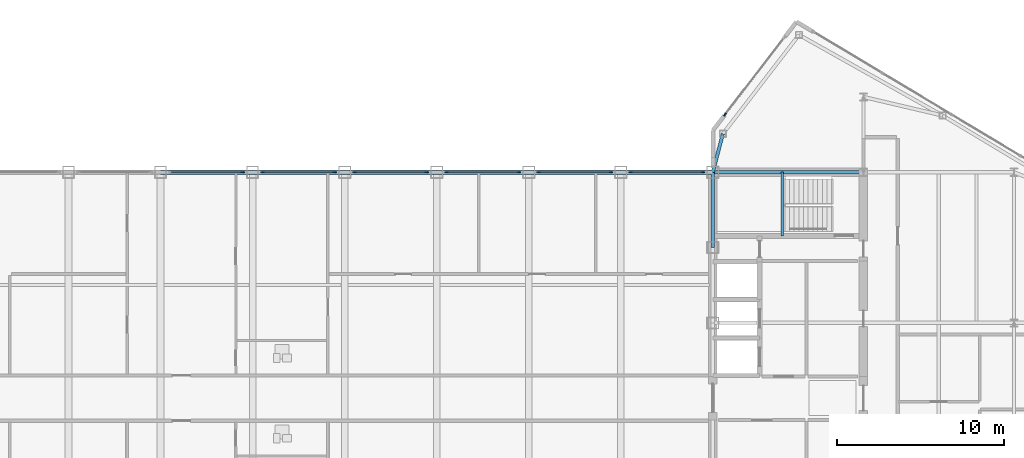
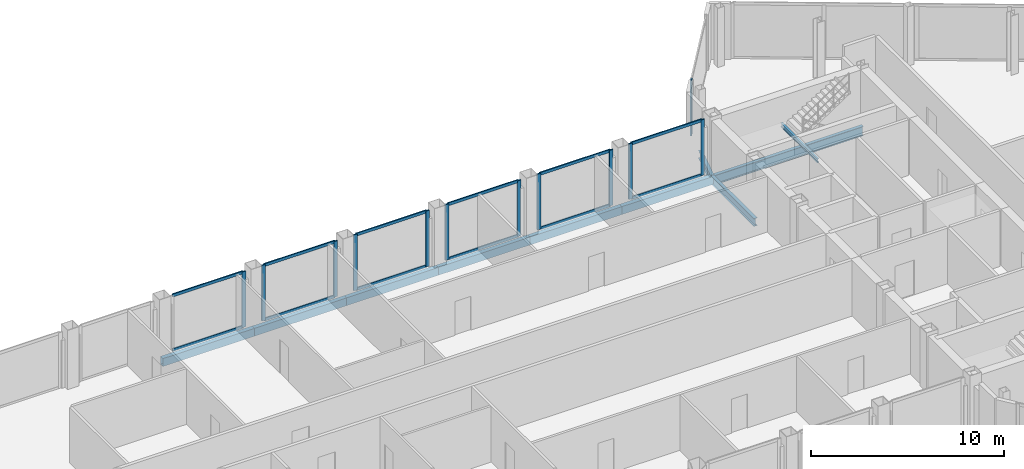
# One storey, part 16 of 28: 24 members, 10 beams, 7 elements without a shape of their own.
"""IFC4 building model written with IfcOpenShell, lengths in metres."""

from ifc_helpers import new_model, si_unit, direction, frame, origin, origin_2d, place, context, subcontext, project, spatial, rectangle, hollow_rectangle, i_section, extrude, source, transform, mapped, material, layer, layer_set, material_profile, profile_set, type_object, type_shapes, element, aggregate, save


model = new_model("IFC4")

# Units and contexts
model_context = context("Model", 3, precision=1e-05, world=origin(), true_north=direction((0.0, 1.0)))
body_context = subcontext(model_context, "Body", "Model", "MODEL_VIEW")
ifc_project = project(units=[si_unit("LENGTHUNIT", "METRE"), si_unit("AREAUNIT", "SQUARE_METRE"), si_unit("VOLUMEUNIT", "CUBIC_METRE"), si_unit("PLANEANGLEUNIT", "RADIAN"), si_unit("MASSUNIT", "GRAM", prefix="KILO")], contexts=[model_context])

# Site, building, storey
site_placement = place(None, origin())
site = spatial("IfcSite", under=ifc_project, at=site_placement, CompositionType="ELEMENT")
building_placement = place(site_placement, origin())
building = spatial("IfcBuilding", under=site, at=building_placement, Name="Seokmaru Belvedere", CompositionType="ELEMENT")
storey_placement = place(building_placement, frame((0.0, 0.0, 261.89990234375)))
storey = spatial("IfcBuildingStorey", under=building, at=storey_placement, Name="L69", CompositionType="ELEMENT", Elevation=261.89990234375)

# Beams
ifc_material_1 = material(Name="Steel SM355 (355 MPa)", Category="steel")
ifc_material_profile_1 = material_profile(ifc_material_1, i_section(OverallWidth=0.199951171875, OverallDepth=0.5, WebThickness=0.010009765625, FlangeThickness=0.01611328125, at=origin_2d()), Name="H-500x200x10x16")
ifc_profile_set_1 = profile_set([ifc_material_profile_1], Name="Steel SM355 (355 MPa)")
beam_type_1 = type_object("IfcBeamType", Name="Perimeter Spandrel Beam H-500", PredefinedType="SPANDREL", material=ifc_profile_set_1)
shared_shape_1 = source(origin(), body_context, "Body", "SweptSolid", [
    extrude(i_section(OverallWidth=0.199951171875, OverallDepth=0.5, WebThickness=0.010009765625, FlangeThickness=0.01611328125, at=origin_2d()), origin(), (0.0, 0.0, 1.0), 4.5),
])
beam_1_placement = place(storey_placement, frame((27.5, 9.0, -0.469970703125), z_axis=(0.0, 1.0, 0.0), x_axis=(-1.0, 0.0, 0.0)))
element("IfcBeam", 1, at=beam_1_placement, inside=storey, type_object=beam_type_1, Name="L69 E Portal Spine Spandrel 5", PredefinedType="SPANDREL", context=body_context, shape_type="MappedRepresentation", body=[
    mapped(shared_shape_1, transform((0.0, 0.0, 0.0), scale=1.0)),
])
ifc_material_profile_2 = material_profile(ifc_material_1, i_section(OverallWidth=0.199951171875, OverallDepth=0.60009765625, WebThickness=0.010986328125, FlangeThickness=0.01708984375, at=origin_2d()), Name="H-600x200x11x17")
ifc_profile_set_2 = profile_set([ifc_material_profile_2], Name="Steel SM355 (355 MPa)")
beam_type_2 = type_object("IfcBeamType", Name="Primary Floor Girder H-600", PredefinedType="BEAM", material=ifc_profile_set_2)
shared_shape_2 = source(origin(), body_context, "Body", "SweptSolid", [
    extrude(i_section(OverallWidth=0.199951171875, OverallDepth=0.60009765625, WebThickness=0.010986328125, FlangeThickness=0.01708984375, at=origin_2d()), origin(), (0.0, 0.0, 1.0), 9.0),
])
type_shapes(beam_type_2, [shared_shape_2])
beam_2_placement = place(storey_placement, frame((27.5, 13.5, -0.52001953125), z_axis=(1.0, 0.0, 0.0), x_axis=(0.0, 1.0, 0.0)))
element("IfcBeam", 2, at=beam_2_placement, inside=storey, type_object=beam_type_2, Name="L69 E Core Tie Girder 4", PredefinedType="BEAM", context=body_context, shape_type="MappedRepresentation", body=[
    mapped(shared_shape_2, transform((0.0, 0.0, 0.0), scale=1.0)),
])
shared_shape_3 = source(origin(), body_context, "Body", "SweptSolid", [
    extrude(i_section(OverallWidth=0.199951171875, OverallDepth=0.5, WebThickness=0.010009765625, FlangeThickness=0.01611328125, at=origin_2d()), origin(), (0.0, 0.0, 1.0), 2.373046875),
])
type_shapes(beam_type_1, [shared_shape_1, shared_shape_3])
beam_3_placement = place(storey_placement, frame((28.10009765625, 15.7958984375, -0.469970703125), z_axis=(-0.252882558842, -0.967496982648, 0.0), x_axis=(0.967496982648, -0.252882558842, 0.0)))
element("IfcBeam", 3, at=beam_3_placement, inside=storey, type_object=beam_type_1, Name="L69 E Shoulder Spine Spandrel N", PredefinedType="SPANDREL", context=body_context, shape_type="MappedRepresentation", body=[
    mapped(shared_shape_3, transform((0.0, 0.0, 0.0), scale=1.0)),
])
ifc_material_profile_3 = material_profile(ifc_material_1, hollow_rectangle(XDim=0.25, YDim=0.5, WallThickness=0.013916015625, at=origin_2d()), Name="RHS-500x250x14")
ifc_profile_set_3 = profile_set([ifc_material_profile_3], Name="Steel SM355 (355 MPa)")
beam_type_3 = type_object("IfcBeamType", Name="Bridge Edge Spandrel RHS-500", PredefinedType="SPANDREL", material=ifc_profile_set_3)
shared_shape_4 = source(origin(), body_context, "Body", "SweptSolid", [
    extrude(hollow_rectangle(XDim=0.25, YDim=0.5, WallThickness=0.013916015625, at=origin_2d()), origin(), (0.0, 0.0, 1.0), 5.5),
])
type_shapes(beam_type_3, [shared_shape_4])
for number, where, z_axis, x_axis, name in (
    (4, (-5.5, 13.5, -0.469970703125), (1.0, 0.0, 0.0), (0.0, 1.0, 0.0), "L69 Sky-Gate Bridge Edge Girder N-05"),
    (5, (0.0, 13.5, -0.469970703125), (1.0, 0.0, 0.0), (0.0, 1.0, 0.0), "L69 Sky-Gate Bridge Edge Girder N-06"),
    (6, (5.5, 13.5, -0.469970703125), (1.0, 0.0, 0.0), (0.0, 1.0, 0.0), "L69 Sky-Gate Bridge Edge Girder N-07"),
    (7, (11.0, 13.5, -0.469970703125), (1.0, 0.0, 0.0), (0.0, 1.0, 0.0), "L69 Sky-Gate Bridge Edge Girder N-08"),
    (8, (16.5, 13.5, -0.469970703125), (1.0, 0.0, 0.0), (0.0, 1.0, 0.0), "L69 Sky-Gate Bridge Edge Girder N-09"),
    (9, (22.0, 13.5, -0.469970703125), (1.0, 0.0, 0.0), (0.0, 1.0, 0.0), "L69 Sky-Gate Bridge Edge Girder N-10"),
):
    element("IfcBeam", number, at=place(storey_placement, frame(where, z_axis=z_axis, x_axis=x_axis)), inside=storey, type_object=beam_type_3, Name=name, PredefinedType="SPANDREL", context=body_context, shape_type="MappedRepresentation", body=[
        mapped(shared_shape_4, transform((0.0, 0.0, 0.0), scale=1.0)),
    ])

# Curtain wall, members
ifc_material_2 = material(Name="Bronze Triple Insulating Glass", Category="glass")
ifc_layer = layer(ifc_material_2, 0.219970703125)
ifc_layer_set = layer_set([ifc_layer], Name="Bronze Triple Insulating Glass")
curtain_wall_type = type_object("IfcCurtainWallType", Name="Sky-Gate Bridge Panorama Curtain Wall System CW-6", PredefinedType="NOTDEFINED", material=ifc_layer_set)
curtain_wall_1_placement = place(storey_placement, origin())
curtain_wall_1 = element("IfcCurtainWall", 10, at=curtain_wall_1_placement, inside=storey, type_object=curtain_wall_type, Name="L69 Curtain Wall BR_N05", PredefinedType="NOTDEFINED")
ifc_material_3 = material(Name="Anodised Bronze Aluminium", Category="aluminium")
ifc_material_profile_4 = material_profile(ifc_material_3, rectangle(XDim=0.074951171875, YDim=0.179931640625, at=origin_2d()), Name="CW-T-75x180")
ifc_profile_set_4 = profile_set([ifc_material_profile_4], Name="Anodised Bronze Aluminium")
member_type_1 = type_object("IfcMemberType", Name="Bronze Unitised Transom 75x180", PredefinedType="USERDEFINED", material=ifc_profile_set_4)
shared_shape_5 = source(origin(), body_context, "Body", "SweptSolid", [
    extrude(rectangle(XDim=0.074951171875, YDim=0.179931640625, at=origin_2d()), origin(), (0.0, 0.0, 1.0), 4.240234375),
])
type_shapes(member_type_1, [shared_shape_5])
member_1_placement = place(storey_placement, frame((-0.6298828125, 13.5, 0.03759765625), z_axis=(-1.0, 0.0, 0.0), x_axis=(0.0, -1.0, 0.0)))
member_1 = element("IfcMember", 11, at=member_1_placement, type_object=member_type_1, Name="CW:L69:BR_N05 Continuous Transom 1", ObjectType="TRANSOM", PredefinedType="USERDEFINED", context=body_context, shape_type="MappedRepresentation", body=[
    mapped(shared_shape_5, transform((0.0, 0.0, 0.0), scale=1.0)),
])
member_2_placement = place(storey_placement, frame((-0.6298828125, 13.5, 3.49267578125), z_axis=(-1.0, 0.0, 0.0), x_axis=(0.0, -1.0, 0.0)))
member_2 = element("IfcMember", 12, at=member_2_placement, type_object=member_type_1, Name="CW:L69:BR_N05 Continuous Transom 2", ObjectType="TRANSOM", PredefinedType="USERDEFINED", context=body_context, shape_type="MappedRepresentation", body=[
    mapped(shared_shape_5, transform((0.0, 0.0, 0.0), scale=1.0)),
])

curtain_wall_2_placement = place(storey_placement, origin())
curtain_wall_2 = element("IfcCurtainWall", 13, at=curtain_wall_2_placement, inside=storey, type_object=curtain_wall_type, Name="L69 Curtain Wall BR_N06", PredefinedType="NOTDEFINED")
member_3_placement = place(storey_placement, frame((4.8701171875, 13.5, 0.03759765625), z_axis=(-1.0, 0.0, 0.0), x_axis=(0.0, -1.0, 0.0)))
member_3 = element("IfcMember", 14, at=member_3_placement, type_object=member_type_1, Name="CW:L69:BR_N06 Continuous Transom 1", ObjectType="TRANSOM", PredefinedType="USERDEFINED", context=body_context, shape_type="MappedRepresentation", body=[
    mapped(shared_shape_5, transform((0.0, 0.0, 0.0), scale=1.0)),
])
member_4_placement = place(storey_placement, frame((4.8701171875, 13.5, 3.49267578125), z_axis=(-1.0, 0.0, 0.0), x_axis=(0.0, -1.0, 0.0)))
member_4 = element("IfcMember", 15, at=member_4_placement, type_object=member_type_1, Name="CW:L69:BR_N06 Continuous Transom 2", ObjectType="TRANSOM", PredefinedType="USERDEFINED", context=body_context, shape_type="MappedRepresentation", body=[
    mapped(shared_shape_5, transform((0.0, 0.0, 0.0), scale=1.0)),
])

curtain_wall_3_placement = place(storey_placement, origin())
curtain_wall_3 = element("IfcCurtainWall", 16, at=curtain_wall_3_placement, inside=storey, type_object=curtain_wall_type, Name="L69 Curtain Wall BR_N07", PredefinedType="NOTDEFINED")
member_5_placement = place(storey_placement, frame((10.3701171875, 13.5, 0.03759765625), z_axis=(-1.0, 0.0, 0.0), x_axis=(0.0, -1.0, 0.0)))
member_5 = element("IfcMember", 17, at=member_5_placement, type_object=member_type_1, Name="CW:L69:BR_N07 Continuous Transom 1", ObjectType="TRANSOM", PredefinedType="USERDEFINED", context=body_context, shape_type="MappedRepresentation", body=[
    mapped(shared_shape_5, transform((0.0, 0.0, 0.0), scale=1.0)),
])
member_6_placement = place(storey_placement, frame((10.3701171875, 13.5, 3.49267578125), z_axis=(-1.0, 0.0, 0.0), x_axis=(0.0, -1.0, 0.0)))
member_6 = element("IfcMember", 18, at=member_6_placement, type_object=member_type_1, Name="CW:L69:BR_N07 Continuous Transom 2", ObjectType="TRANSOM", PredefinedType="USERDEFINED", context=body_context, shape_type="MappedRepresentation", body=[
    mapped(shared_shape_5, transform((0.0, 0.0, 0.0), scale=1.0)),
])

curtain_wall_4_placement = place(storey_placement, origin())
curtain_wall_4 = element("IfcCurtainWall", 19, at=curtain_wall_4_placement, inside=storey, type_object=curtain_wall_type, Name="L69 Curtain Wall BR_N08", PredefinedType="NOTDEFINED")
member_7_placement = place(storey_placement, frame((15.8701171875, 13.5, 0.03759765625), z_axis=(-1.0, 0.0, 0.0), x_axis=(0.0, -1.0, 0.0)))
member_7 = element("IfcMember", 20, at=member_7_placement, type_object=member_type_1, Name="CW:L69:BR_N08 Continuous Transom 1", ObjectType="TRANSOM", PredefinedType="USERDEFINED", context=body_context, shape_type="MappedRepresentation", body=[
    mapped(shared_shape_5, transform((0.0, 0.0, 0.0), scale=1.0)),
])
member_8_placement = place(storey_placement, frame((15.8701171875, 13.5, 3.49267578125), z_axis=(-1.0, 0.0, 0.0), x_axis=(0.0, -1.0, 0.0)))
member_8 = element("IfcMember", 21, at=member_8_placement, type_object=member_type_1, Name="CW:L69:BR_N08 Continuous Transom 2", ObjectType="TRANSOM", PredefinedType="USERDEFINED", context=body_context, shape_type="MappedRepresentation", body=[
    mapped(shared_shape_5, transform((0.0, 0.0, 0.0), scale=1.0)),
])

curtain_wall_5_placement = place(storey_placement, origin())
curtain_wall_5 = element("IfcCurtainWall", 22, at=curtain_wall_5_placement, inside=storey, type_object=curtain_wall_type, Name="L69 Curtain Wall BR_N09", PredefinedType="NOTDEFINED")
member_9_placement = place(storey_placement, frame((21.3701171875, 13.5, 0.03759765625), z_axis=(-1.0, 0.0, 0.0), x_axis=(0.0, -1.0, 0.0)))
member_9 = element("IfcMember", 23, at=member_9_placement, type_object=member_type_1, Name="CW:L69:BR_N09 Continuous Transom 1", ObjectType="TRANSOM", PredefinedType="USERDEFINED", context=body_context, shape_type="MappedRepresentation", body=[
    mapped(shared_shape_5, transform((0.0, 0.0, 0.0), scale=1.0)),
])
member_10_placement = place(storey_placement, frame((21.3701171875, 13.5, 3.49267578125), z_axis=(-1.0, 0.0, 0.0), x_axis=(0.0, -1.0, 0.0)))
member_10 = element("IfcMember", 24, at=member_10_placement, type_object=member_type_1, Name="CW:L69:BR_N09 Continuous Transom 2", ObjectType="TRANSOM", PredefinedType="USERDEFINED", context=body_context, shape_type="MappedRepresentation", body=[
    mapped(shared_shape_5, transform((0.0, 0.0, 0.0), scale=1.0)),
])

curtain_wall_6_placement = place(storey_placement, origin())
curtain_wall_6 = element("IfcCurtainWall", 25, at=curtain_wall_6_placement, inside=storey, type_object=curtain_wall_type, Name="L69 Curtain Wall BR_N10", PredefinedType="NOTDEFINED")
member_11_placement = place(storey_placement, frame((26.8701171875, 13.5, 0.03759765625), z_axis=(-1.0, 0.0, 0.0), x_axis=(0.0, -1.0, 0.0)))
member_11 = element("IfcMember", 26, at=member_11_placement, type_object=member_type_1, Name="CW:L69:BR_N10 Continuous Transom 1", ObjectType="TRANSOM", PredefinedType="USERDEFINED", context=body_context, shape_type="MappedRepresentation", body=[
    mapped(shared_shape_5, transform((0.0, 0.0, 0.0), scale=1.0)),
])
member_12_placement = place(storey_placement, frame((26.8701171875, 13.5, 3.49267578125), z_axis=(-1.0, 0.0, 0.0), x_axis=(0.0, -1.0, 0.0)))
member_12 = element("IfcMember", 27, at=member_12_placement, type_object=member_type_1, Name="CW:L69:BR_N10 Continuous Transom 2", ObjectType="TRANSOM", PredefinedType="USERDEFINED", context=body_context, shape_type="MappedRepresentation", body=[
    mapped(shared_shape_5, transform((0.0, 0.0, 0.0), scale=1.0)),
])

# Curtain wall, member
curtain_wall_7_placement = place(storey_placement, origin())
curtain_wall_7 = element("IfcCurtainWall", 28, at=curtain_wall_7_placement, inside=storey, type_object=curtain_wall_type, Name="L69 Curtain Wall EF4", PredefinedType="NOTDEFINED")
ifc_material_profile_5 = material_profile(ifc_material_3, rectangle(XDim=0.080078125, YDim=0.219970703125, at=origin_2d()), Name="CW-M-80x220")
ifc_profile_set_5 = profile_set([ifc_material_profile_5], Name="Anodised Bronze Aluminium")
member_type_2 = type_object("IfcMemberType", Name="Bronze Unitised Mullion 80x220", PredefinedType="MULLION", material=ifc_profile_set_5)
shared_shape_6 = source(origin(), body_context, "Body", "SweptSolid", [
    extrude(rectangle(XDim=0.080078125, YDim=0.219970703125, at=origin_2d()), origin(), (0.0, 0.0, 1.0), 3.530029296875),
])
type_shapes(member_type_2, [shared_shape_6])
member_13_placement = place(storey_placement, frame((28.2255859375, 16.943115234375, 0.0), z_axis=(0.0, 0.0, 1.0), x_axis=(0.792631353244, -0.609701187349, 0.0)))
member_13 = element("IfcMember", 29, at=member_13_placement, type_object=member_type_2, Name="CW:L69:EF4 Mullion 2", PredefinedType="MULLION", context=body_context, shape_type="MappedRepresentation", body=[
    mapped(shared_shape_6, transform((0.0, 0.0, 0.0), scale=1.0)),
])
aggregate(curtain_wall_7, [member_13])

# Member
member_14_placement = place(storey_placement, frame((-0.590087890625, 13.5, 0.0), z_axis=(0.0, 0.0, 1.0), x_axis=(0.0, -1.0, 0.0)))
member_14 = element("IfcMember", 30, at=member_14_placement, type_object=member_type_2, Name="CW:L69:BR_N05 Mullion 1", PredefinedType="MULLION", context=body_context, shape_type="MappedRepresentation", body=[
    mapped(shared_shape_6, transform((0.0, 0.0, 0.0), scale=1.0)),
])

aggregate(curtain_wall_1, [member_14, member_1, member_2])

member_15_placement = place(storey_placement, frame((4.909912109375, 13.5, 0.0), z_axis=(0.0, 0.0, 1.0), x_axis=(0.0, -1.0, 0.0)))
member_15 = element("IfcMember", 31, at=member_15_placement, type_object=member_type_2, Name="CW:L69:BR_N06 Mullion 1", PredefinedType="MULLION", context=body_context, shape_type="MappedRepresentation", body=[
    mapped(shared_shape_6, transform((0.0, 0.0, 0.0), scale=1.0)),
])

member_16_placement = place(storey_placement, frame((0.590087890625, 13.5, 0.0), z_axis=(0.0, 0.0, 1.0), x_axis=(0.0, -1.0, 0.0)))
member_16 = element("IfcMember", 32, at=member_16_placement, type_object=member_type_2, Name="CW:L69:BR_N06 Mullion 2", PredefinedType="MULLION", context=body_context, shape_type="MappedRepresentation", body=[
    mapped(shared_shape_6, transform((0.0, 0.0, 0.0), scale=1.0)),
])

aggregate(curtain_wall_2, [member_15, member_16, member_3, member_4])

member_17_placement = place(storey_placement, frame((10.409912109375, 13.5, 0.0), z_axis=(0.0, 0.0, 1.0), x_axis=(0.0, -1.0, 0.0)))
member_17 = element("IfcMember", 33, at=member_17_placement, type_object=member_type_2, Name="CW:L69:BR_N07 Mullion 1", PredefinedType="MULLION", context=body_context, shape_type="MappedRepresentation", body=[
    mapped(shared_shape_6, transform((0.0, 0.0, 0.0), scale=1.0)),
])

member_18_placement = place(storey_placement, frame((6.090087890625, 13.5, 0.0), z_axis=(0.0, 0.0, 1.0), x_axis=(0.0, -1.0, 0.0)))
member_18 = element("IfcMember", 34, at=member_18_placement, type_object=member_type_2, Name="CW:L69:BR_N07 Mullion 2", PredefinedType="MULLION", context=body_context, shape_type="MappedRepresentation", body=[
    mapped(shared_shape_6, transform((0.0, 0.0, 0.0), scale=1.0)),
])

aggregate(curtain_wall_3, [member_17, member_18, member_5, member_6])

member_19_placement = place(storey_placement, frame((15.909912109375, 13.5, 0.0), z_axis=(0.0, 0.0, 1.0), x_axis=(0.0, -1.0, 0.0)))
member_19 = element("IfcMember", 35, at=member_19_placement, type_object=member_type_2, Name="CW:L69:BR_N08 Mullion 1", PredefinedType="MULLION", context=body_context, shape_type="MappedRepresentation", body=[
    mapped(shared_shape_6, transform((0.0, 0.0, 0.0), scale=1.0)),
])

member_20_placement = place(storey_placement, frame((11.590087890625, 13.5, 0.0), z_axis=(0.0, 0.0, 1.0), x_axis=(0.0, -1.0, 0.0)))
member_20 = element("IfcMember", 36, at=member_20_placement, type_object=member_type_2, Name="CW:L69:BR_N08 Mullion 2", PredefinedType="MULLION", context=body_context, shape_type="MappedRepresentation", body=[
    mapped(shared_shape_6, transform((0.0, 0.0, 0.0), scale=1.0)),
])

aggregate(curtain_wall_4, [member_19, member_20, member_7, member_8])

member_21_placement = place(storey_placement, frame((21.409912109375, 13.5, 0.0), z_axis=(0.0, 0.0, 1.0), x_axis=(0.0, -1.0, 0.0)))
member_21 = element("IfcMember", 37, at=member_21_placement, type_object=member_type_2, Name="CW:L69:BR_N09 Mullion 1", PredefinedType="MULLION", context=body_context, shape_type="MappedRepresentation", body=[
    mapped(shared_shape_6, transform((0.0, 0.0, 0.0), scale=1.0)),
])

member_22_placement = place(storey_placement, frame((17.090087890625, 13.5, 0.0), z_axis=(0.0, 0.0, 1.0), x_axis=(0.0, -1.0, 0.0)))
member_22 = element("IfcMember", 38, at=member_22_placement, type_object=member_type_2, Name="CW:L69:BR_N09 Mullion 2", PredefinedType="MULLION", context=body_context, shape_type="MappedRepresentation", body=[
    mapped(shared_shape_6, transform((0.0, 0.0, 0.0), scale=1.0)),
])

aggregate(curtain_wall_5, [member_21, member_22, member_9, member_10])

member_23_placement = place(storey_placement, frame((26.909912109375, 13.5, 0.0), z_axis=(0.0, 0.0, 1.0), x_axis=(0.0, -1.0, 0.0)))
member_23 = element("IfcMember", 39, at=member_23_placement, type_object=member_type_2, Name="CW:L69:BR_N10 Mullion 1", PredefinedType="MULLION", context=body_context, shape_type="MappedRepresentation", body=[
    mapped(shared_shape_6, transform((0.0, 0.0, 0.0), scale=1.0)),
])

member_24_placement = place(storey_placement, frame((22.590087890625, 13.5, 0.0), z_axis=(0.0, 0.0, 1.0), x_axis=(0.0, -1.0, 0.0)))
member_24 = element("IfcMember", 40, at=member_24_placement, type_object=member_type_2, Name="CW:L69:BR_N10 Mullion 2", PredefinedType="MULLION", context=body_context, shape_type="MappedRepresentation", body=[
    mapped(shared_shape_6, transform((0.0, 0.0, 0.0), scale=1.0)),
])

aggregate(curtain_wall_6, [member_23, member_24, member_11, member_12])

# Beam
ifc_material_profile_6 = material_profile(ifc_material_1, i_section(OverallWidth=0.125, OverallDepth=0.25, WebThickness=0.006103515625, FlangeThickness=0.009033203125, at=origin_2d()), Name="H-250x125x6x9")
ifc_profile_set_6 = profile_set([ifc_material_profile_6], Name="Steel SM355 (355 MPa)")
beam_type_4 = type_object("IfcBeamType", Name="Stair Mid-Landing Support Beam H-250", PredefinedType="JOIST", material=ifc_profile_set_6)
shared_shape_7 = source(origin(), body_context, "Body", "SweptSolid", [
    extrude(i_section(OverallWidth=0.125, OverallDepth=0.25, WebThickness=0.006103515625, FlangeThickness=0.009033203125, at=origin_2d()), origin(), (0.0, 0.0, 1.0), 3.800048828125),
])
type_shapes(beam_type_4, [shared_shape_7])
beam_4_placement = place(storey_placement, frame((31.64990234375, 9.699951171875, 1.550048828125), z_axis=(0.0, 1.0, 0.0), x_axis=(-1.0, 0.0, 0.0)))
element("IfcBeam", 41, at=beam_4_placement, inside=storey, type_object=beam_type_4, Name="L69 Stair ST-E2 Mid-Landing Support Beam 1", PredefinedType="JOIST", context=body_context, shape_type="MappedRepresentation", body=[
    mapped(shared_shape_7, transform((0.0, 0.0, 0.0), scale=1.0)),
])

save(model, "model.ifc")
